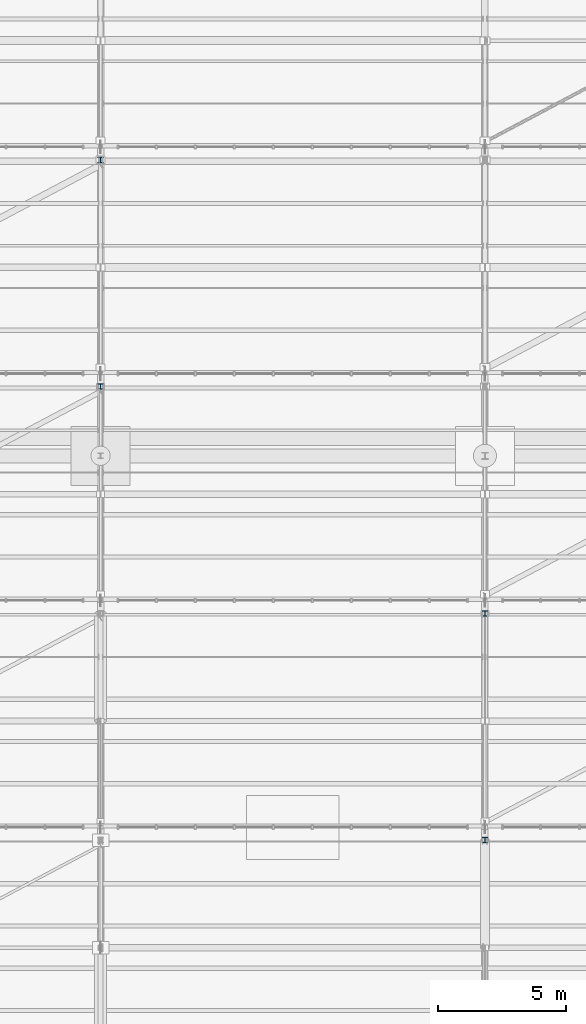
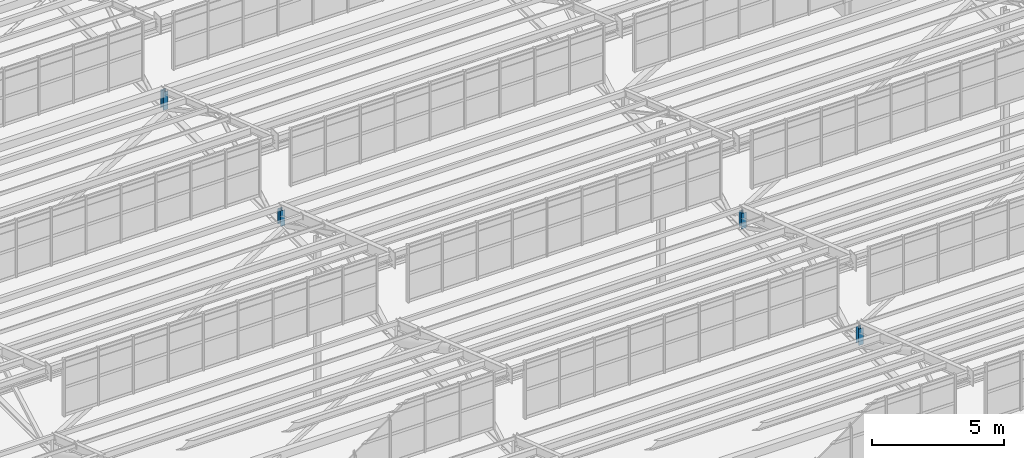
# One storey, part 147 of 285: 4 members.
"""IFC4 building model written with IfcOpenShell, lengths in metres."""

from ifc_helpers import new_model, si_unit, direction, frame, origin, origin_2d, place, context, subcontext, project, spatial, i_section, extrude, material, material_profile, profile_set, type_object, element, save


model = new_model("IFC4")

# Units and contexts
model_context = context("Model", 3, precision=1e-05, world=origin(), true_north=direction((0.0, 1.0)))
body_context = subcontext(model_context, "Body", "Model", "MODEL_VIEW")
ifc_project = project(units=[si_unit("LENGTHUNIT", "METRE"), si_unit("AREAUNIT", "SQUARE_METRE"), si_unit("VOLUMEUNIT", "CUBIC_METRE"), si_unit("PLANEANGLEUNIT", "RADIAN"), si_unit("MASSUNIT", "GRAM", prefix="KILO")], contexts=[model_context])

# Site, building, storey
site_placement = place(None, origin())
site = spatial("IfcSite", under=ifc_project, at=site_placement, CompositionType="ELEMENT")
building_placement = place(site_placement, origin())
building = spatial("IfcBuilding", under=site, at=building_placement, Name="Solanera Park Tramway Depot", CompositionType="ELEMENT")
storey_placement = place(building_placement, origin())
storey = spatial("IfcBuildingStorey", under=building, at=storey_placement, Name="L00", CompositionType="ELEMENT", Elevation=0.0)

# Members
ifc_material = material(Name="Steel AS/NZS 3679.1 Grade 350", Category="steel")
ifc_material_profile = material_profile(ifc_material, i_section(OverallWidth=0.205078125, OverallDepth=0.209716796875, WebThickness=0.00927734375, FlangeThickness=0.01416015625, at=origin_2d()), Name="200UC59.5")
ifc_profile_set = profile_set([ifc_material_profile], Name="Steel AS/NZS 3679.1 Grade 350")
member_type = type_object("IfcMemberType", Name="Roof Gantry Compression Strut 200UC59.5", PredefinedType="STRUT", material=ifc_profile_set)
member_1_placement = place(storey_placement, frame((45.0, 99.5, 6.5), z_axis=(0.0, 0.0, 1.0), x_axis=(1.0, 0.0, 0.0)))
element("IfcMember", 1, at=member_1_placement, inside=storey, type_object=member_type, Name="Sawtooth ROOF TRUSS Valley Post 200UC59.5 #0044", PredefinedType="STRUT", context=body_context, shape_type="SweptSolid", body=[
    extrude(i_section(OverallWidth=0.205078125, OverallDepth=0.209716796875, WebThickness=0.00927734375, FlangeThickness=0.01416015625, at=origin_2d()), origin(), (0.0, 0.0, 1.0), 0.76220703125),
])
for number, where, z_axis, x_axis, name in (
    (2, (45.0, 108.35009765625, 6.5), (0.0, 0.0, 1.0), (1.0, 0.0, 0.0), "Sawtooth ROOF TRUSS Valley Post 200UC59.5 #0055"),
    (3, (30.0, 117.199951171875, 6.5), (0.0, 0.0, 1.0), (1.0, 0.0, 0.0), "Sawtooth ROOF TRUSS Valley Post 200UC59.5 #0065"),
):
    element("IfcMember", number, at=place(storey_placement, frame(where, z_axis=z_axis, x_axis=x_axis)), inside=storey, type_object=member_type, Name=name, PredefinedType="STRUT", context=body_context, shape_type="SweptSolid", body=[
        extrude(i_section(OverallWidth=0.205078125, OverallDepth=0.209716796875, WebThickness=0.00927734375, FlangeThickness=0.01416015625, at=origin_2d()), origin(), (0.0, 0.0, 1.0), 0.724365234375),
    ])
member_2_placement = place(storey_placement, frame((30.0, 126.050048828125, 6.5), z_axis=(0.0, 0.0, 1.0), x_axis=(1.0, 0.0, 0.0)))
element("IfcMember", 4, at=member_2_placement, inside=storey, type_object=member_type, Name="Sawtooth ROOF TRUSS Valley Post 200UC59.5 #0076", PredefinedType="STRUT", context=body_context, shape_type="SweptSolid", body=[
    extrude(i_section(OverallWidth=0.205078125, OverallDepth=0.209716796875, WebThickness=0.00927734375, FlangeThickness=0.01416015625, at=origin_2d()), origin(), (0.0, 0.0, 1.0), 0.83740234375),
])

save(model, "model.ifc")
